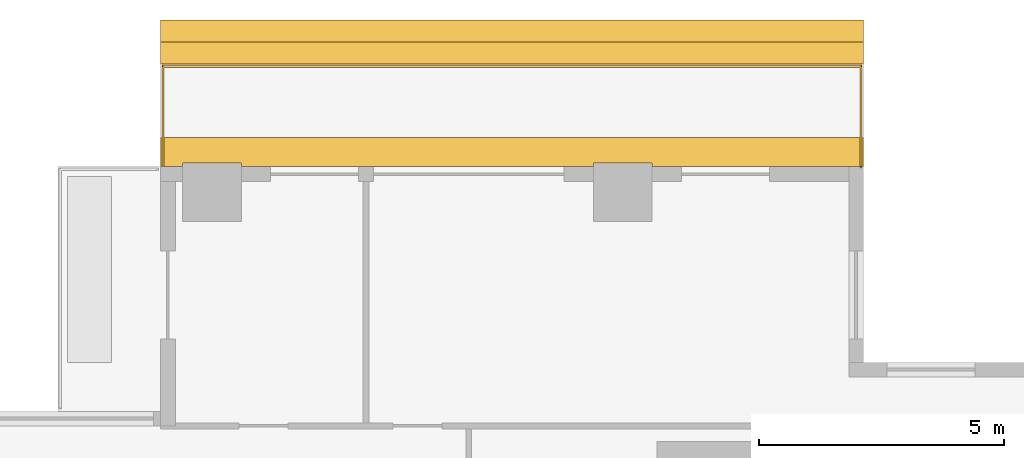
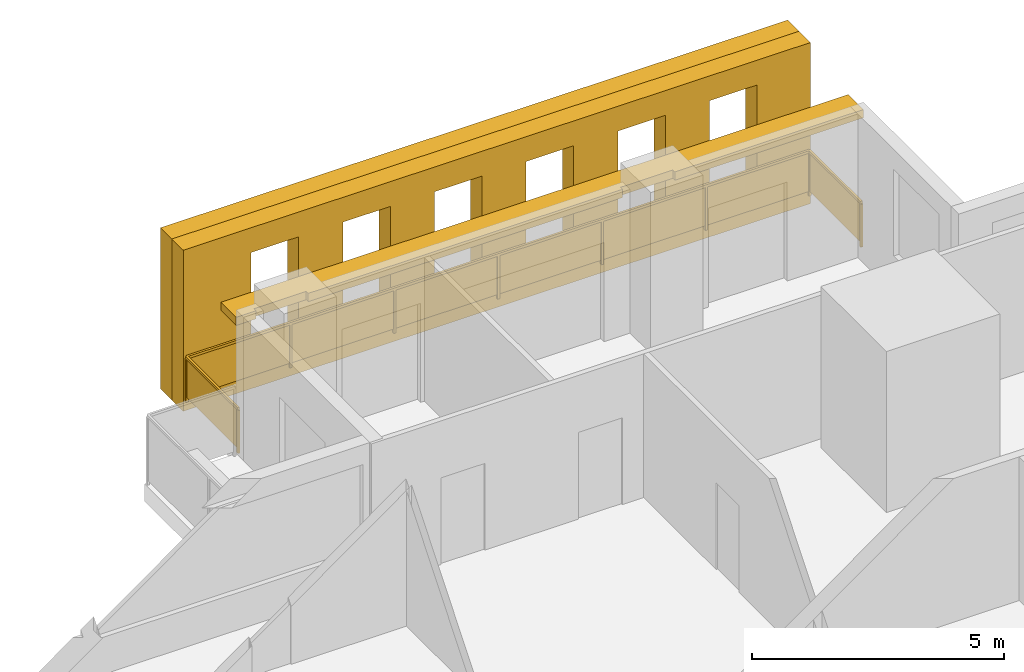
# One storey, part 16 of 16: 3 shading devices, 1 railing.
"""IFC4 building model written with IfcOpenShell, lengths in metres."""

from ifc_helpers import new_model, si_unit, direction, frame, origin, origin_2d, place, context, subcontext, project, spatial, polyline, rectangle, outline, extrude, material, layer, layer_set, type_object, element, save


model = new_model("IFC4")

# Units and contexts
model_context = context("Model", 3, precision=1e-05, world=origin(), true_north=direction((0.0, 1.0)))
body_context = subcontext(model_context, "Body", "Model", "MODEL_VIEW")
ifc_project = project(units=[si_unit("LENGTHUNIT", "METRE"), si_unit("AREAUNIT", "SQUARE_METRE"), si_unit("VOLUMEUNIT", "CUBIC_METRE"), si_unit("PLANEANGLEUNIT", "RADIAN"), si_unit("MASSUNIT", "GRAM", prefix="KILO")], contexts=[model_context])

# Site, building, storey
site_placement = place(None, origin())
site = spatial("IfcSite", under=ifc_project, at=site_placement, CompositionType="ELEMENT")
building_placement = place(site_placement, origin())
building = spatial("IfcBuilding", under=site, at=building_placement, Name="Khepri Terraces", CompositionType="ELEMENT")
storey_placement = place(building_placement, frame((0.0, 0.0, 149.39990234375)))
storey = spatial("IfcBuildingStorey", under=building, at=storey_placement, Name="L35", CompositionType="ELEMENT", Elevation=149.39990234375)

# Railing
ifc_material_1 = material(Name="Stainless steel grade 316", Category="steel")
railing_type = type_object("IfcRailingType", Name="GRD-BAL-1100", PredefinedType="GUARDRAIL", material=ifc_material_1)
railing_placement = place(storey_placement, frame((21.669921875, 25.719970703125, 0.0)))
element("IfcRailing", 1, at=railing_placement, inside=storey, type_object=railing_type, Name="Balcony guard L35 N", PredefinedType="GUARDRAIL", context=body_context, shape_type="SweptSolid", body=[
    extrude(rectangle(XDim=0.050048828125, YDim=0.06005859375, at=origin_2d()), frame((0.0, 0.0, 1.070068359375), z_axis=(0.0, 1.0, 0.0), x_axis=(-1.0, 0.0, 0.0)), (0.0, 0.0, 1.0), 2.050048828125),
    extrude(rectangle(XDim=2.0, YDim=0.011962890625, at=origin_2d()), frame((0.0, 1.02490234375, 0.10009765625), z_axis=(0.0, 0.0, 1.0), x_axis=(0.0, 1.0, 0.0)), (0.0, 0.0, 1.0), 0.93994140625),
    extrude(rectangle(XDim=0.050048828125, YDim=0.06005859375, at=origin_2d()), frame((0.0, 2.050048828125, 1.070068359375), z_axis=(-1.0, 0.0, 0.0), x_axis=(0.0, -1.0, 0.0)), (0.0, 0.0, 1.0), 14.27001953125),
    extrude(rectangle(XDim=2.328369140625, YDim=0.011962890625, at=origin_2d()), frame((-1.189208984375, 2.050048828125, 0.10009765625), z_axis=(0.0, 0.0, 1.0), x_axis=(-1.0, 0.0, 0.0)), (0.0, 0.0, 1.0), 0.93994140625),
    extrude(rectangle(XDim=2.328369140625, YDim=0.011962890625, at=origin_2d()), frame((-3.5673828125, 2.050048828125, 0.10009765625), z_axis=(0.0, 0.0, 1.0), x_axis=(-1.0, 0.0, 0.0)), (0.0, 0.0, 1.0), 0.93994140625),
    extrude(rectangle(XDim=2.328369140625, YDim=0.011962890625, at=origin_2d()), frame((-5.94580078125, 2.050048828125, 0.10009765625), z_axis=(0.0, 0.0, 1.0), x_axis=(-1.0, 0.0, 0.0)), (0.0, 0.0, 1.0), 0.93994140625),
    extrude(rectangle(XDim=2.328369140625, YDim=0.011962890625, at=origin_2d()), frame((-8.32421875, 2.050048828125, 0.10009765625), z_axis=(0.0, 0.0, 1.0), x_axis=(-1.0, 0.0, 0.0)), (0.0, 0.0, 1.0), 0.93994140625),
    extrude(rectangle(XDim=2.328369140625, YDim=0.011962890625, at=origin_2d()), frame((-10.70263671875, 2.050048828125, 0.10009765625), z_axis=(0.0, 0.0, 1.0), x_axis=(-1.0, 0.0, 0.0)), (0.0, 0.0, 1.0), 0.93994140625),
    extrude(rectangle(XDim=2.328369140625, YDim=0.011962890625, at=origin_2d()), frame((-13.080810546875, 2.050048828125, 0.10009765625), z_axis=(0.0, 0.0, 1.0), x_axis=(-1.0, 0.0, 0.0)), (0.0, 0.0, 1.0), 0.93994140625),
    extrude(rectangle(XDim=0.050048828125, YDim=0.06005859375, at=origin_2d()), frame((-14.27001953125, 2.050048828125, 1.070068359375), z_axis=(0.0, -1.0, 0.0), x_axis=(1.0, 0.0, 0.0)), (0.0, 0.0, 1.0), 2.050048828125),
    extrude(rectangle(XDim=2.0, YDim=0.011962890625, at=origin_2d()), frame((-14.27001953125, 1.02490234375, 0.10009765625), z_axis=(0.0, 0.0, 1.0), x_axis=(0.0, -1.0, 0.0)), (0.0, 0.0, 1.0), 0.93994140625),
    extrude(rectangle(XDim=0.050048828125, YDim=0.050048828125, at=origin_2d()), origin(), (0.0, 0.0, 1.0), 1.0400390625),
    extrude(rectangle(XDim=0.050048828125, YDim=0.050048828125, at=origin_2d()), frame((0.0, 2.050048828125, 0.0)), (0.0, 0.0, 1.0), 1.0400390625),
    extrude(rectangle(XDim=0.050048828125, YDim=0.050048828125, at=origin_2d()), frame((-2.37841796875, 2.050048828125, 0.0)), (0.0, 0.0, 1.0), 1.0400390625),
    extrude(rectangle(XDim=0.050048828125, YDim=0.050048828125, at=origin_2d()), frame((-4.756591796875, 2.050048828125, 0.0)), (0.0, 0.0, 1.0), 1.0400390625),
    extrude(rectangle(XDim=0.050048828125, YDim=0.050048828125, at=origin_2d()), frame((-7.135009765625, 2.050048828125, 0.0)), (0.0, 0.0, 1.0), 1.0400390625),
    extrude(rectangle(XDim=0.050048828125, YDim=0.050048828125, at=origin_2d()), frame((-9.513427734375, 2.050048828125, 0.0)), (0.0, 0.0, 1.0), 1.0400390625),
    extrude(rectangle(XDim=0.050048828125, YDim=0.050048828125, at=origin_2d()), frame((-11.8916015625, 2.050048828125, 0.0)), (0.0, 0.0, 1.0), 1.0400390625),
    extrude(rectangle(XDim=0.050048828125, YDim=0.050048828125, at=origin_2d()), frame((-14.27001953125, 2.050048828125, 0.0)), (0.0, 0.0, 1.0), 1.0400390625),
    extrude(rectangle(XDim=0.050048828125, YDim=0.050048828125, at=origin_2d()), frame((-14.27001953125, 0.0, 0.0)), (0.0, 0.0, 1.0), 1.0400390625),
])

# Shading devices
ifc_material_2 = material(Name="Precast concrete C50/60 warm stone", Category="masonry")
shading_device_type_1 = type_object("IfcShadingDeviceType", Name="SCR-CELL-INNER-450", PredefinedType="USERDEFINED", material=ifc_material_2)
shading_device_1_placement = place(storey_placement, frame((21.719970703125, 27.820068359375, -0.25), z_axis=(0.0, 1.0, 0.0), x_axis=(-1.0, 0.0, 0.0)))
element("IfcShadingDevice", 2, at=shading_device_1_placement, inside=storey, type_object=shading_device_type_1, Name="Cell screen L35 N in", ObjectType="SCREEN", PredefinedType="USERDEFINED", context=body_context, shape_type="SweptSolid", body=[
    extrude(outline(polyline([(0.0, 0.0), (14.3701171875, 0.0), (14.3701171875, 3.89990234375), (0.0, 3.89990234375), (0.0, 0.0)]), holes=[polyline([(1.2265625, 0.699951171875), (2.3134765625, 0.699951171875), (2.3134765625, 3.300048828125), (1.2265625, 3.300048828125), (1.2265625, 0.699951171875)]), polyline([(3.32666015625, 0.699951171875), (4.413330078125, 0.699951171875), (4.413330078125, 3.300048828125), (3.32666015625, 3.300048828125), (3.32666015625, 0.699951171875)]), polyline([(5.426513671875, 0.699951171875), (6.513427734375, 0.699951171875), (6.513427734375, 3.300048828125), (5.426513671875, 3.300048828125), (5.426513671875, 0.699951171875)]), polyline([(7.526611328125, 0.699951171875), (8.61328125, 0.699951171875), (8.61328125, 3.300048828125), (7.526611328125, 3.300048828125), (7.526611328125, 0.699951171875)]), polyline([(9.626708984375, 0.699951171875), (10.71337890625, 0.699951171875), (10.71337890625, 3.300048828125), (9.626708984375, 3.300048828125), (9.626708984375, 0.699951171875)]), polyline([(11.7265625, 0.699951171875), (12.8134765625, 0.699951171875), (12.8134765625, 3.300048828125), (11.7265625, 3.300048828125), (11.7265625, 0.699951171875)])]), origin(), (0.0, 0.0, 1.0), 0.449951171875),
])
shading_device_type_2 = type_object("IfcShadingDeviceType", Name="SCR-CELL-OUTER-450", PredefinedType="USERDEFINED", material=ifc_material_2)
shading_device_2_placement = place(storey_placement, frame((21.719970703125, 28.27001953125, -0.25), z_axis=(0.0, 1.0, 0.0), x_axis=(-1.0, 0.0, 0.0)))
element("IfcShadingDevice", 3, at=shading_device_2_placement, inside=storey, type_object=shading_device_type_2, Name="Cell screen L35 N out", ObjectType="SCREEN", PredefinedType="USERDEFINED", context=body_context, shape_type="SweptSolid", body=[
    extrude(outline(polyline([(0.0, 0.0), (14.3701171875, 0.0), (14.3701171875, 3.89990234375), (0.0, 3.89990234375), (0.0, 0.0)]), holes=[polyline([(0.876708984375, 0.449951171875), (2.663330078125, 0.449951171875), (2.663330078125, 3.550048828125), (0.876708984375, 3.550048828125), (0.876708984375, 0.449951171875)]), polyline([(2.9765625, 0.449951171875), (4.763427734375, 0.449951171875), (4.763427734375, 3.550048828125), (2.9765625, 3.550048828125), (2.9765625, 0.449951171875)]), polyline([(5.07666015625, 0.449951171875), (6.86328125, 0.449951171875), (6.86328125, 3.550048828125), (5.07666015625, 3.550048828125), (5.07666015625, 0.449951171875)]), polyline([(7.176513671875, 0.449951171875), (8.96337890625, 0.449951171875), (8.96337890625, 3.550048828125), (7.176513671875, 3.550048828125), (7.176513671875, 0.449951171875)]), polyline([(9.276611328125, 0.449951171875), (11.0634765625, 0.449951171875), (11.0634765625, 3.550048828125), (9.276611328125, 3.550048828125), (9.276611328125, 0.449951171875)]), polyline([(11.376708984375, 0.449951171875), (13.163330078125, 0.449951171875), (13.163330078125, 3.550048828125), (11.376708984375, 3.550048828125), (11.376708984375, 0.449951171875)])]), origin(), (0.0, 0.0, 1.0), 0.449951171875),
])
ifc_layer = layer(ifc_material_2, 0.199951171875, Name="Precast concrete C50/60 warm stone", Category="masonry")
ifc_layer_set = layer_set([ifc_layer], Name="Precast concrete C50/60 warm stone")
shading_device_type_3 = type_object("IfcShadingDeviceType", Name="SSH-BAND-STONE-200-N", PredefinedType="USERDEFINED", material=ifc_layer_set)
shading_device_3_placement = place(storey_placement, frame((0.0, 0.0, 3.10009765625)))
element("IfcShadingDevice", 4, at=shading_device_3_placement, inside=storey, type_object=shading_device_type_3, Name="Sunshade band L35 N", ObjectType="SUNSHADE", PredefinedType="USERDEFINED", context=body_context, shape_type="SweptSolid", body=[
    extrude(outline(polyline([(17.39990234375, 25.719970703125), (21.719970703125, 25.719970703125), (21.719970703125, 26.320068359375), (7.35009765625, 26.320068359375), (7.35009765625, 25.719970703125), (7.800048828125, 25.719970703125), (7.800048828125, 25.800048828125), (9.0, 25.800048828125), (9.0, 25.719970703125), (16.199951171875, 25.719970703125), (16.199951171875, 25.800048828125), (17.39990234375, 25.800048828125), (17.39990234375, 25.719970703125)])), origin(), (0.0, 0.0, 1.0), 0.199951171875),
])

save(model, "model.ifc")
